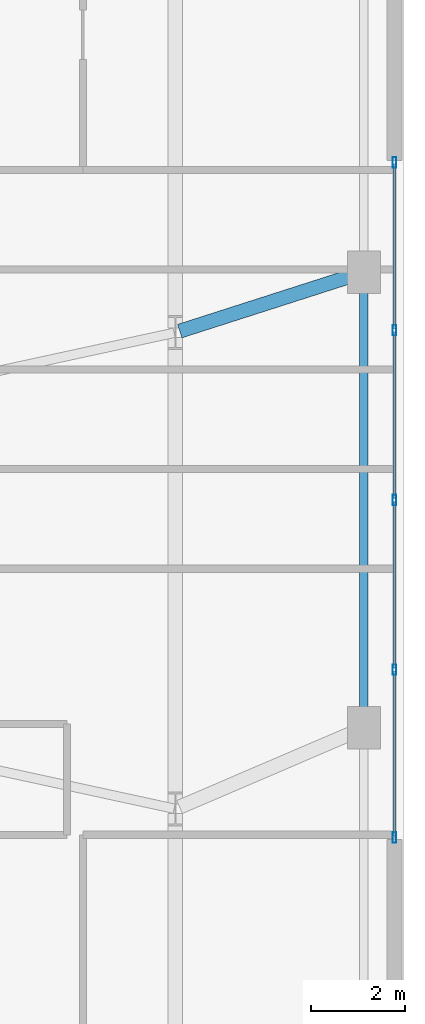
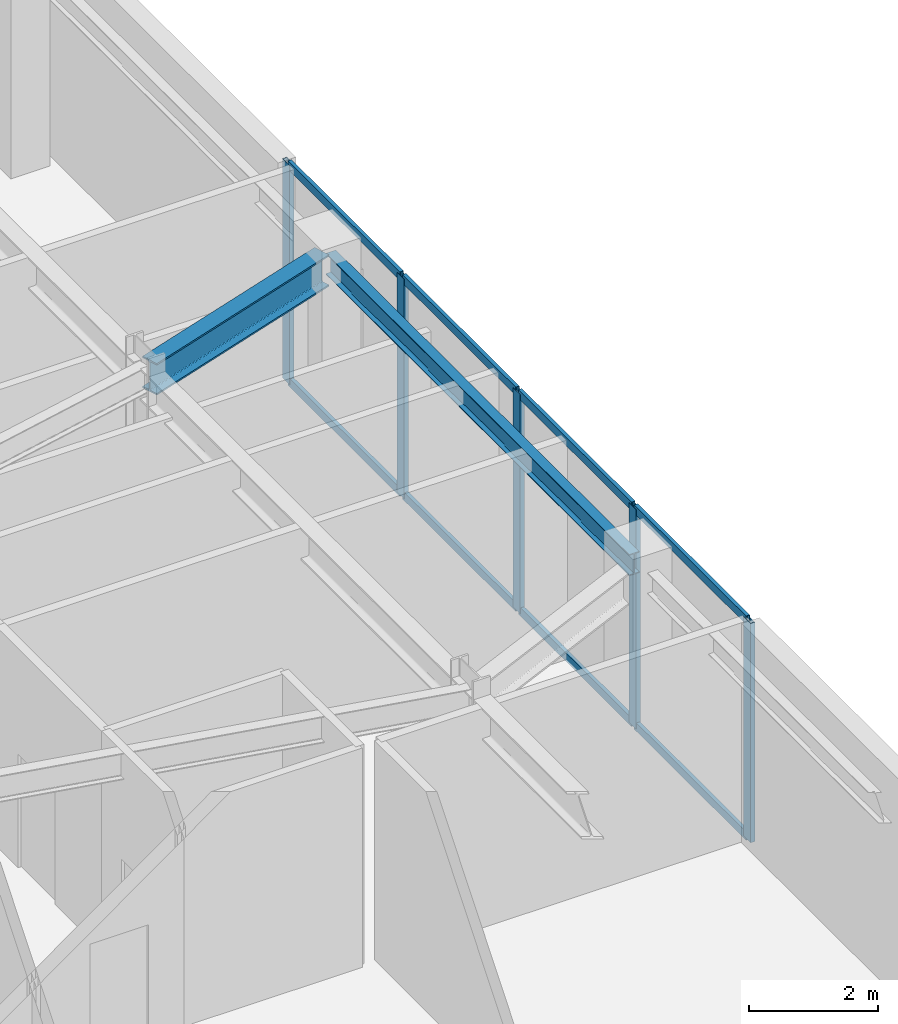
# One storey, part 9 of 21: 13 members, 2 beams, 1 element without a shape of its own.
"""IFC4 building model written with IfcOpenShell, lengths in metres."""

from ifc_helpers import new_model, si_unit, direction, frame, origin, origin_2d, place, context, subcontext, project, spatial, hollow_rectangle, i_section, extrude, material, layer, layer_set, material_profile, profile_set, type_object, element, aggregate, save


model = new_model("IFC4")

# Units and contexts
model_context = context("Model", 3, precision=1e-05, world=origin(), true_north=direction((0.0, 1.0)))
body_context = subcontext(model_context, "Body", "Model", "MODEL_VIEW")
ifc_project = project(units=[si_unit("LENGTHUNIT", "METRE"), si_unit("AREAUNIT", "SQUARE_METRE"), si_unit("VOLUMEUNIT", "CUBIC_METRE"), si_unit("PLANEANGLEUNIT", "RADIAN"), si_unit("MASSUNIT", "GRAM", prefix="KILO")], contexts=[model_context])

# Site, building, storey
site_placement = place(None, origin())
site = spatial("IfcSite", under=ifc_project, at=site_placement, CompositionType="ELEMENT")
building_placement = place(site_placement, origin())
building = spatial("IfcBuilding", under=site, at=building_placement, Name="Qobustan Lattice House", CompositionType="ELEMENT")
storey_placement = place(building_placement, frame((0.0, 0.0, 22.5)))
storey = spatial("IfcBuildingStorey", under=building, at=storey_placement, Name="L05", CompositionType="ELEMENT", Elevation=22.5)

# Beams
ifc_material_1 = material(Name="Steel S355", Category="steel")
ifc_material_profile_1 = material_profile(ifc_material_1, i_section(OverallWidth=0.300048828125, OverallDepth=0.60009765625, WebThickness=0.015380859375, FlangeThickness=0.030029296875, FilletRadius=0.027099609375, at=origin_2d()), Name="HEB600")
ifc_profile_set_1 = profile_set([ifc_material_profile_1], Name="Steel S355")
beam_type_1 = type_object("IfcBeamType", Name="BM-POD-HEB600", PredefinedType="USERDEFINED", material=ifc_profile_set_1)
beam_1_placement = place(storey_placement, frame((36.03564453125, 6.296630859375, 3.860107421875), z_axis=(-0.952198151545, -0.305481063561, 0.0), x_axis=(0.305481063561, -0.952198151545, 0.0)))
element("IfcBeam", 1, at=beam_1_placement, inside=storey, type_object=beam_type_1, Name="L05 podium radial girder PE3", ObjectType="GIRDER", PredefinedType="USERDEFINED", context=body_context, shape_type="SweptSolid", body=[
    extrude(i_section(OverallWidth=0.300048828125, OverallDepth=0.60009765625, WebThickness=0.015380859375, FlangeThickness=0.030029296875, FilletRadius=0.027099609375, at=origin_2d()), origin(), (0.0, 0.0, 1.0), 3.980712890625),
])
ifc_material_2 = material(Name="Steel S355", Category="steel")
ifc_material_profile_2 = material_profile(ifc_material_2, i_section(OverallWidth=0.179931640625, OverallDepth=0.39990234375, WebThickness=0.008544921875, FlangeThickness=0.013427734375, FilletRadius=0.02099609375, at=origin_2d()), Name="IPE400")
ifc_profile_set_2 = profile_set([ifc_material_profile_2], Name="Steel S355")
beam_type_2 = type_object("IfcBeamType", Name="BM-SPD-IPE400", PredefinedType="SPANDREL", material=ifc_profile_set_2)
beam_2_placement = place(storey_placement, frame((36.14990234375, -3.21337890625, 3.9599609375), z_axis=(0.0, 1.0, 0.0), x_axis=(-1.0, 0.0, 0.0)))
element("IfcBeam", 2, at=beam_2_placement, inside=storey, type_object=beam_type_2, Name="L05 podium spandrel PE2-PE3", PredefinedType="SPANDREL", context=body_context, shape_type="SweptSolid", body=[
    extrude(i_section(OverallWidth=0.179931640625, OverallDepth=0.39990234375, WebThickness=0.008544921875, FlangeThickness=0.013427734375, FilletRadius=0.02099609375, at=origin_2d()), origin(), (0.0, 0.0, 1.0), 9.4267578125),
])

# Curtain wall, members
ifc_material_3 = material(Name="Anodised aluminium and low-E glazing", Category="aluminium")
ifc_layer = layer(ifc_material_3, 0.219970703125)
ifc_layer_set = layer_set([ifc_layer], Name="Anodised aluminium and low-E glazing")
curtain_wall_type = type_object("IfcCurtainWallType", Name="CW-POD-01", PredefinedType="USERDEFINED", material=ifc_layer_set)
curtain_wall_placement = place(storey_placement, origin())
curtain_wall = element("IfcCurtainWall", 3, at=curtain_wall_placement, inside=storey, type_object=curtain_wall_type, Name="L05 E podium colonnade curtain wall", ObjectType="CURTAIN WALL", PredefinedType="USERDEFINED")
ifc_material_4 = material(Name="Anodised aluminium EN AW-6063 T6", Category="aluminium")
ifc_material_profile_3 = material_profile(ifc_material_4, hollow_rectangle(XDim=0.080078125, YDim=0.219970703125, WallThickness=0.0048828125, at=origin_2d()), Name="CWM-220x80")
ifc_profile_set_3 = profile_set([ifc_material_profile_3], Name="Anodised aluminium EN AW-6063 T6")
member_type_1 = type_object("IfcMemberType", Name="CWM-MAIN-220", PredefinedType="MULLION", material=ifc_profile_set_3)
member_1_placement = place(storey_placement, frame((36.800048828125, 8.659912109375, 0.0), z_axis=(0.0, 0.0, 1.0), x_axis=(1.0, 0.0, 0.0)))
member_1 = element("IfcMember", 4, at=member_1_placement, type_object=member_type_1, Name="CW-P1 mullion 1", PredefinedType="MULLION", context=body_context, shape_type="SweptSolid", body=[
    extrude(hollow_rectangle(XDim=0.080078125, YDim=0.219970703125, WallThickness=0.0048828125, at=origin_2d()), origin(), (0.0, 0.0, 1.0), 4.159912109375),
])
member_2_placement = place(storey_placement, frame((36.800048828125, 5.10009765625, 0.0), z_axis=(0.0, 0.0, 1.0), x_axis=(1.0, 0.0, 0.0)))
member_2 = element("IfcMember", 5, at=member_2_placement, type_object=member_type_1, Name="CW-P1 mullion 2", PredefinedType="MULLION", context=body_context, shape_type="SweptSolid", body=[
    extrude(hollow_rectangle(XDim=0.080078125, YDim=0.219970703125, WallThickness=0.0048828125, at=origin_2d()), origin(), (0.0, 0.0, 1.0), 4.159912109375),
])
member_3_placement = place(storey_placement, frame((36.800048828125, 1.5, 0.0), z_axis=(0.0, 0.0, 1.0), x_axis=(1.0, 0.0, 0.0)))
member_3 = element("IfcMember", 6, at=member_3_placement, type_object=member_type_1, Name="CW-P1 mullion 3", PredefinedType="MULLION", context=body_context, shape_type="SweptSolid", body=[
    extrude(hollow_rectangle(XDim=0.080078125, YDim=0.219970703125, WallThickness=0.0048828125, at=origin_2d()), origin(), (0.0, 0.0, 1.0), 4.159912109375),
])
member_4_placement = place(storey_placement, frame((36.800048828125, -2.10009765625, 0.0), z_axis=(0.0, 0.0, 1.0), x_axis=(1.0, 0.0, 0.0)))
member_4 = element("IfcMember", 7, at=member_4_placement, type_object=member_type_1, Name="CW-P1 mullion 4", PredefinedType="MULLION", context=body_context, shape_type="SweptSolid", body=[
    extrude(hollow_rectangle(XDim=0.080078125, YDim=0.219970703125, WallThickness=0.0048828125, at=origin_2d()), origin(), (0.0, 0.0, 1.0), 4.159912109375),
])
member_5_placement = place(storey_placement, frame((36.800048828125, -5.659912109375, 0.0), z_axis=(0.0, 0.0, 1.0), x_axis=(1.0, 0.0, 0.0)))
member_5 = element("IfcMember", 8, at=member_5_placement, type_object=member_type_1, Name="CW-P1 mullion 5", PredefinedType="MULLION", context=body_context, shape_type="SweptSolid", body=[
    extrude(hollow_rectangle(XDim=0.080078125, YDim=0.219970703125, WallThickness=0.0048828125, at=origin_2d()), origin(), (0.0, 0.0, 1.0), 4.159912109375),
])
ifc_material_5 = material(Name="Anodised aluminium EN AW-6063 T6", Category="aluminium")
ifc_material_profile_4 = material_profile(ifc_material_5, hollow_rectangle(XDim=0.06494140625, YDim=0.159912109375, WallThickness=0.00390625, at=origin_2d()), Name="CWT-160x65")
ifc_profile_set_4 = profile_set([ifc_material_profile_4], Name="Anodised aluminium EN AW-6063 T6")
member_type_2 = type_object("IfcMemberType", Name="CWT-HOR-160", PredefinedType="USERDEFINED", material=ifc_profile_set_4)
member_6_placement = place(storey_placement, frame((36.800048828125, 8.6201171875, 0.032470703125), z_axis=(0.0, -1.0, 0.0), x_axis=(1.0, 0.0, 0.0)))
member_6 = element("IfcMember", 9, at=member_6_placement, type_object=member_type_2, Name="CW-P1 transom 1.1", ObjectType="TRANSOM", PredefinedType="USERDEFINED", context=body_context, shape_type="SweptSolid", body=[
    extrude(hollow_rectangle(XDim=0.06494140625, YDim=0.159912109375, WallThickness=0.00390625, at=origin_2d()), origin(), (0.0, 0.0, 1.0), 3.480224609375),
])
member_7_placement = place(storey_placement, frame((36.800048828125, 8.6201171875, 4.12744140625), z_axis=(0.0, -1.0, 0.0), x_axis=(1.0, 0.0, 0.0)))
member_7 = element("IfcMember", 10, at=member_7_placement, type_object=member_type_2, Name="CW-P1 transom 1.2", ObjectType="TRANSOM", PredefinedType="USERDEFINED", context=body_context, shape_type="SweptSolid", body=[
    extrude(hollow_rectangle(XDim=0.06494140625, YDim=0.159912109375, WallThickness=0.00390625, at=origin_2d()), origin(), (0.0, 0.0, 1.0), 3.480224609375),
])
member_8_placement = place(storey_placement, frame((36.800048828125, 5.06005859375, 0.032470703125), z_axis=(0.0, -1.0, 0.0), x_axis=(1.0, 0.0, 0.0)))
member_8 = element("IfcMember", 11, at=member_8_placement, type_object=member_type_2, Name="CW-P1 transom 2.1", ObjectType="TRANSOM", PredefinedType="USERDEFINED", context=body_context, shape_type="SweptSolid", body=[
    extrude(hollow_rectangle(XDim=0.06494140625, YDim=0.159912109375, WallThickness=0.00390625, at=origin_2d()), origin(), (0.0, 0.0, 1.0), 3.52001953125),
])
member_9_placement = place(storey_placement, frame((36.800048828125, 5.06005859375, 4.12744140625), z_axis=(0.0, -1.0, 0.0), x_axis=(1.0, 0.0, 0.0)))
member_9 = element("IfcMember", 12, at=member_9_placement, type_object=member_type_2, Name="CW-P1 transom 2.2", ObjectType="TRANSOM", PredefinedType="USERDEFINED", context=body_context, shape_type="SweptSolid", body=[
    extrude(hollow_rectangle(XDim=0.06494140625, YDim=0.159912109375, WallThickness=0.00390625, at=origin_2d()), origin(), (0.0, 0.0, 1.0), 3.52001953125),
])
member_10_placement = place(storey_placement, frame((36.800048828125, 1.4599609375, 0.032470703125), z_axis=(0.0, -1.0, 0.0), x_axis=(1.0, 0.0, 0.0)))
member_10 = element("IfcMember", 13, at=member_10_placement, type_object=member_type_2, Name="CW-P1 transom 3.1", ObjectType="TRANSOM", PredefinedType="USERDEFINED", context=body_context, shape_type="SweptSolid", body=[
    extrude(hollow_rectangle(XDim=0.06494140625, YDim=0.159912109375, WallThickness=0.00390625, at=origin_2d()), origin(), (0.0, 0.0, 1.0), 3.52001953125),
])
member_11_placement = place(storey_placement, frame((36.800048828125, 1.4599609375, 4.12744140625), z_axis=(0.0, -1.0, 0.0), x_axis=(1.0, 0.0, 0.0)))
member_11 = element("IfcMember", 14, at=member_11_placement, type_object=member_type_2, Name="CW-P1 transom 3.2", ObjectType="TRANSOM", PredefinedType="USERDEFINED", context=body_context, shape_type="SweptSolid", body=[
    extrude(hollow_rectangle(XDim=0.06494140625, YDim=0.159912109375, WallThickness=0.00390625, at=origin_2d()), origin(), (0.0, 0.0, 1.0), 3.52001953125),
])
member_12_placement = place(storey_placement, frame((36.800048828125, -2.139892578125, 0.032470703125), z_axis=(0.0, -1.0, 0.0), x_axis=(1.0, 0.0, 0.0)))
member_12 = element("IfcMember", 15, at=member_12_placement, type_object=member_type_2, Name="CW-P1 transom 4.1", ObjectType="TRANSOM", PredefinedType="USERDEFINED", context=body_context, shape_type="SweptSolid", body=[
    extrude(hollow_rectangle(XDim=0.06494140625, YDim=0.159912109375, WallThickness=0.00390625, at=origin_2d()), origin(), (0.0, 0.0, 1.0), 3.480224609375),
])
member_13_placement = place(storey_placement, frame((36.800048828125, -2.139892578125, 4.12744140625), z_axis=(0.0, -1.0, 0.0), x_axis=(1.0, 0.0, 0.0)))
member_13 = element("IfcMember", 16, at=member_13_placement, type_object=member_type_2, Name="CW-P1 transom 4.2", ObjectType="TRANSOM", PredefinedType="USERDEFINED", context=body_context, shape_type="SweptSolid", body=[
    extrude(hollow_rectangle(XDim=0.06494140625, YDim=0.159912109375, WallThickness=0.00390625, at=origin_2d()), origin(), (0.0, 0.0, 1.0), 3.480224609375),
])
aggregate(curtain_wall, [member_1, member_2, member_3, member_4, member_5, member_6, member_7, member_8, member_9, member_10, member_11, member_12, member_13])

save(model, "model.ifc")
